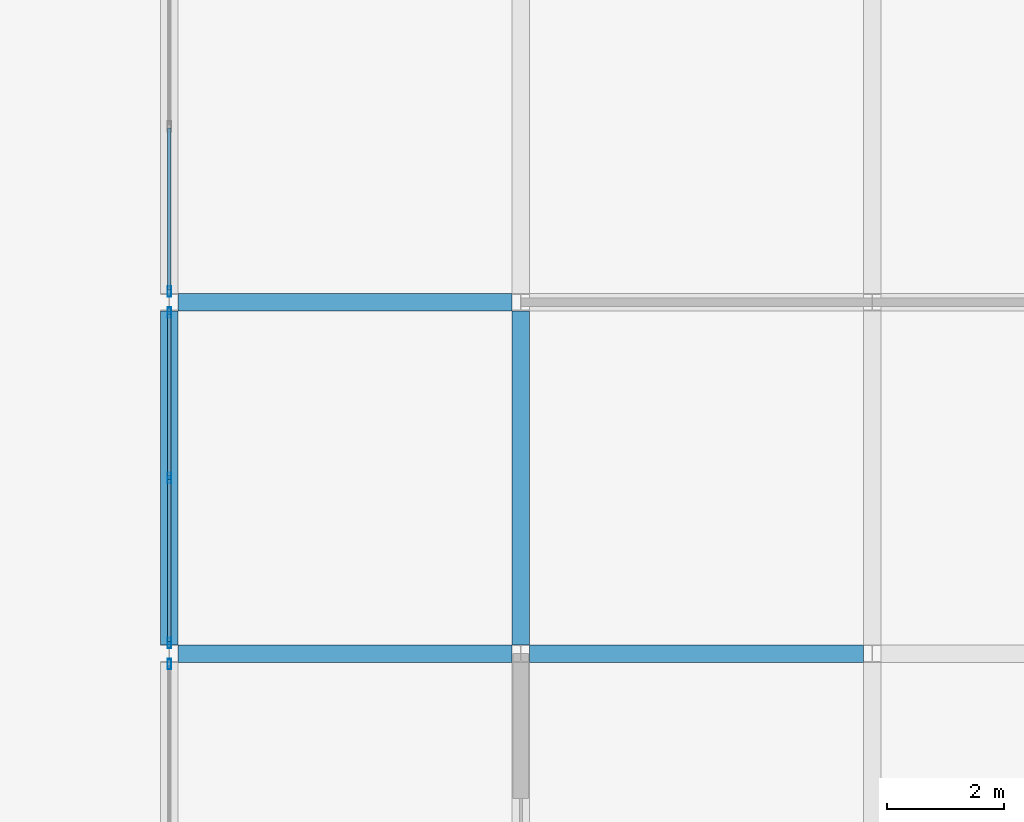
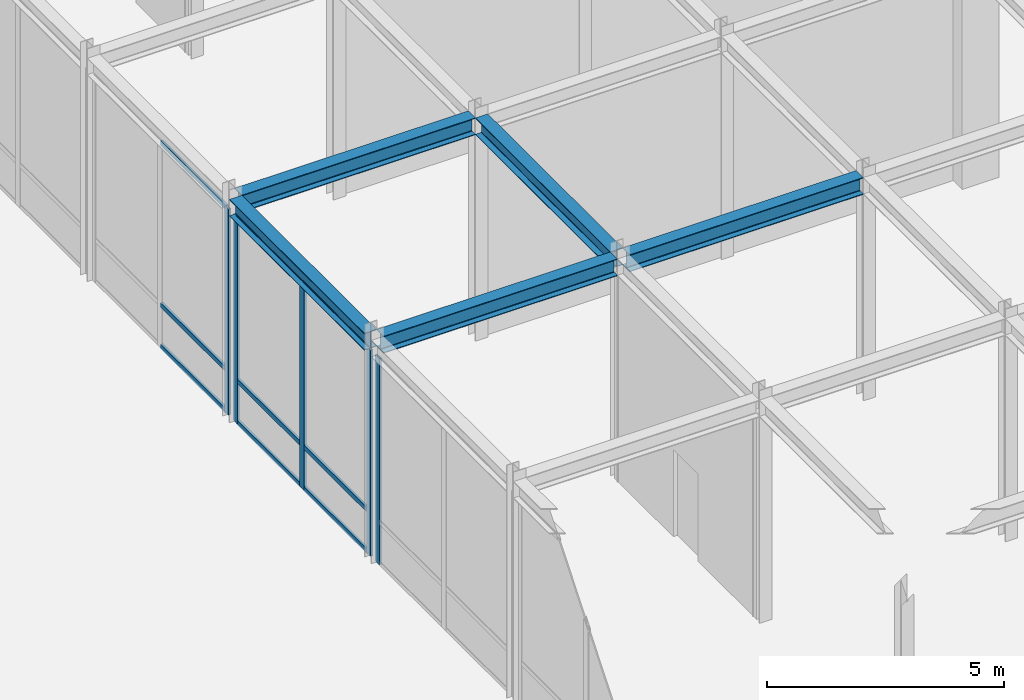
# One storey, part 50 of 108: 14 members, 5 beams, 3 elements without a shape of their own.
"""IFC4 building model written with IfcOpenShell, lengths in metres."""

import ifcopenshell
import ifcopenshell.guid

model = None  # the IFC model being written
_history = None  # IfcOwnerHistory: only IFC2X3 demands one
_inside = {}  # id of a spatial element -> (the spatial element, [elements in it])
_under = {}  # id of a project, library or spatial element -> (it, [spatial elements below it])
_declared = {}  # id of a project -> (the project, [libraries it declares])
_typed = {}  # id of a type object -> (the type object, [elements of that type])
_made_of = {}  # id of a material, layer set ... -> (it, [elements and type objects made of it])


def new_model(schema):
    """Start an empty IFC model of exactly this schema.

    Asked for "IFC4X3", IfcOpenShell would pick the latest addendum, in which some entities
    have other attributes; the version numbers below select the first issue.
    IFC2X3 requires an IfcOwnerHistory on every rooted entity: one is made here for all.
    """
    global model, _history
    if schema == "IFC4X3":
        model = ifcopenshell.file(schema_version=(4, 3, 0, 0))
    else:
        model = ifcopenshell.file(schema=schema)
    _inside.clear()
    _under.clear()
    _declared.clear()
    _typed.clear()
    _made_of.clear()
    _history = None
    if model.schema == "IFC2X3":
        org = make("IfcOrganization", Name="unknown")
        user = make(
            "IfcPersonAndOrganization",
            ThePerson=make("IfcPerson", FamilyName="unknown"),
            TheOrganization=org,
        )
        app = make(
            "IfcApplication",
            ApplicationDeveloper=org,
            Version="unknown",
            ApplicationFullName="unknown",
            ApplicationIdentifier="unknown",
        )
        _history = make(
            "IfcOwnerHistory",
            OwningUser=user,
            OwningApplication=app,
            ChangeAction="ADDED",
            CreationDate=0,
        )
    return model


def make(cls, **values):
    """One entity of the class cls with the attributes given. An attribute that is None is left unset."""
    return model.create_entity(
        cls, **{name: value for name, value in values.items() if value is not None}
    )


def rooted(cls, **values):
    """An entity with a GlobalId (a new one), such as an element, a storey or a relation."""
    return make(cls, GlobalId=ifcopenshell.guid.new(), OwnerHistory=_history, **values)


def si_unit(unit_type, name, prefix=None):
    """IfcSIUnit, for example si_unit("LENGTHUNIT", "METRE", prefix="MILLI")."""
    return make("IfcSIUnit", UnitType=unit_type, Prefix=prefix, Name=name)


def assignment(units):
    """IfcUnitAssignment: the units of a project."""
    return None if units is None else make("IfcUnitAssignment", Units=units)


def point(xyz):
    """IfcCartesianPoint."""
    return None if xyz is None else make("IfcCartesianPoint", Coordinates=xyz)


def direction(xyz):
    """IfcDirection."""
    return None if xyz is None else make("IfcDirection", DirectionRatios=xyz)


def frame(location, z_axis=None, x_axis=None):
    """IfcAxis2Placement3D, a coordinate frame: its origin and axes. An axis left out is left unset."""
    return make(
        "IfcAxis2Placement3D",
        Location=point(location),
        Axis=direction(z_axis),
        RefDirection=direction(x_axis),
    )


def frame_2d(location, x_axis=None):
    """IfcAxis2Placement2D, a coordinate frame in the plane: its origin and x axis."""
    return make(
        "IfcAxis2Placement2D", Location=point(location), RefDirection=direction(x_axis)
    )


def origin():
    """The frame at (0, 0, 0) with its axes left unset."""
    return frame((0.0, 0.0, 0.0))


def origin_2d():
    """The frame at (0, 0) in the plane with its x axis left unset."""
    return frame_2d((0.0, 0.0))


def place(relative_to, where):
    """IfcLocalPlacement: puts the frame where relative to a parent placement (None: the world)."""
    return make(
        "IfcLocalPlacement", PlacementRelTo=relative_to, RelativePlacement=where
    )


def context(
    kind, dimensions, precision=None, world=None, true_north=None, identifier=None
):
    """IfcGeometricRepresentationContext, for example the 3D "Model" context."""
    return make(
        "IfcGeometricRepresentationContext",
        ContextIdentifier=identifier,
        ContextType=kind,
        CoordinateSpaceDimension=dimensions,
        Precision=precision,
        WorldCoordinateSystem=world,
        TrueNorth=true_north,
    )


def subcontext(parent, identifier, kind, view, scale=None):
    """IfcGeometricRepresentationSubContext, for example "Body" below "Model"."""
    return make(
        "IfcGeometricRepresentationSubContext",
        ContextIdentifier=identifier,
        ContextType=kind,
        ParentContext=parent,
        TargetScale=scale,
        TargetView=view,
    )


def project(units=None, contexts=None):
    """IfcProject with its units and contexts."""
    return rooted(
        "IfcProject",
        Name="project",
        RepresentationContexts=contexts,
        UnitsInContext=assignment(units),
    )


def spatial(cls, under=None, at=None, **own):
    """A site, building, storey or space (cls), placed at a placement, below another one or the project."""
    s = rooted(cls, ObjectPlacement=at, **own)
    if under is not None:
        _under.setdefault(under.id(), (under, []))[1].append(s)
    return s


def profile(cls, at=None, kind="AREA", **sizes):
    """A parametric profile (cls). Its sizes go by their IFC names, for example OverallWidth=200.0."""
    return make(cls, ProfileType=kind, Position=at, **sizes)


def hollow_rectangle(**sizes):
    """IfcRectangleHollowProfileDef."""
    return profile("IfcRectangleHollowProfileDef", **sizes)


def i_section(**sizes):
    """IfcIShapeProfileDef."""
    return profile("IfcIShapeProfileDef", **sizes)


def extrude(swept, where, along, depth):
    """IfcExtrudedAreaSolid: the profile swept, set in the frame where, extruded along a direction by depth."""
    return make(
        "IfcExtrudedAreaSolid",
        SweptArea=swept,
        Position=where,
        ExtrudedDirection=direction(along),
        Depth=depth,
    )


def shape(context_of_items, identifier, shape_type, items):
    """IfcShapeRepresentation: the items that make up one representation, for example the "Body"."""
    return make(
        "IfcShapeRepresentation",
        ContextOfItems=context_of_items,
        RepresentationIdentifier=identifier,
        RepresentationType=shape_type,
        Items=items,
    )


def material(Name=None, Category=None):
    """IfcMaterial."""
    return make("IfcMaterial", Name=Name, Category=Category)


def layer(
    of_material, thickness, ventilated=None, Name=None, Category=None, Priority=None
):
    """IfcMaterialLayer: one layer of a wall or slab, of a material (None: an air gap)."""
    return make(
        "IfcMaterialLayer",
        Material=of_material,
        LayerThickness=thickness,
        IsVentilated=ventilated,
        Name=Name,
        Category=Category,
        Priority=Priority,
    )


def layer_set(layers, Name=None):
    """IfcMaterialLayerSet."""
    return make("IfcMaterialLayerSet", MaterialLayers=layers, LayerSetName=Name)


def material_profile(
    of_material, cross_section, Name=None, Category=None, Priority=None
):
    """IfcMaterialProfile: a cross section and its material."""
    return make(
        "IfcMaterialProfile",
        Name=Name,
        Material=of_material,
        Profile=cross_section,
        Priority=Priority,
        Category=Category,
    )


def profile_set(profiles, Name=None, composite=None):
    """IfcMaterialProfileSet."""
    return make(
        "IfcMaterialProfileSet",
        Name=Name,
        MaterialProfiles=profiles,
        CompositeProfile=composite,
    )


def made_of(thing, what):
    """Note that an element or type object is made of a material, layer set ...; save() writes the relation."""
    if what is not None:
        _made_of.setdefault(what.id(), (what, []))[1].append(thing)
    return thing


def type_object(cls, material=None, **own):
    """A type object (cls), such as IfcWallType, which elements share."""
    return made_of(rooted(cls, **own), material)


def element(
    cls,
    number,
    at=None,
    inside=None,
    cuts=None,
    type_object=None,
    material=None,
    context=None,
    identifier="Body",
    shape_type=None,
    held_by="IfcProductDefinitionShape",
    body=None,
    shapes=None,
    **own,
):
    """One element of the class cls, such as IfcWall. Its Tag is "e" and its number.

    at: its placement. inside: the storey or other place that contains it. cuts: it is an
    opening in that element (IfcRelVoidsElement). A single representation is given by context,
    identifier, shape_type and body (its items); several are given by shapes. held_by: the class
    of the entity that holds the representations. save() writes the other relations.
    """
    e = rooted(cls, Tag="e%d" % number, ObjectPlacement=at, **own)
    if body is not None:
        shapes = [shape(context, identifier, shape_type, body)]
    if shapes is not None:
        e.Representation = make(held_by, Representations=shapes)
    if inside is not None:
        _inside.setdefault(inside.id(), (inside, []))[1].append(e)
    if cuts is not None:
        rooted(
            "IfcRelVoidsElement", RelatingBuildingElement=cuts, RelatedOpeningElement=e
        )
    if type_object is not None:
        _typed.setdefault(type_object.id(), (type_object, []))[1].append(e)
    return made_of(e, material)


def aggregate(whole, parts):
    """IfcRelAggregates: a whole, such as a stair, and the parts it consists of."""
    return rooted("IfcRelAggregates", RelatingObject=whole, RelatedObjects=parts)


def save(model, path):
    """Write the relations noted so far, then the file.

    IfcRelAggregates (storeys below a building ...), IfcRelContainedInSpatialStructure (elements
    in a storey), IfcRelDefinesByType, IfcRelAssociatesMaterial and IfcRelDeclares: one each for
    every whole, place, type object, material and project.
    """
    for whole, parts in _under.values():
        aggregate(whole, parts)
    for where, things in _inside.values():
        rooted(
            "IfcRelContainedInSpatialStructure",
            RelatedElements=things,
            RelatingStructure=where,
        )
    for kind, things in _typed.values():
        rooted("IfcRelDefinesByType", RelatedObjects=things, RelatingType=kind)
    for what, things in _made_of.values():
        rooted("IfcRelAssociatesMaterial", RelatedObjects=things, RelatingMaterial=what)
    for by, libraries in _declared.values():
        rooted("IfcRelDeclares", RelatingContext=by, RelatedDefinitions=libraries)
    model.write(path)


model = new_model("IFC4")

# Units and contexts
model_context = context("Model", 3, precision=1e-05, world=origin(), true_north=direction((0.0, 1.0)))
body_context = subcontext(model_context, "Body", "Model", "MODEL_VIEW")
ifc_project = project(units=[si_unit("LENGTHUNIT", "METRE"), si_unit("AREAUNIT", "SQUARE_METRE"), si_unit("VOLUMEUNIT", "CUBIC_METRE"), si_unit("PLANEANGLEUNIT", "RADIAN"), si_unit("MASSUNIT", "GRAM", prefix="KILO")], contexts=[model_context])

# Site, building, storey
site_placement = place(None, origin())
site = spatial("IfcSite", under=ifc_project, at=site_placement, CompositionType="ELEMENT")
building_placement = place(site_placement, origin())
building = spatial("IfcBuilding", under=site, at=building_placement, Name="Zlatovratsky Civic Hall", CompositionType="ELEMENT")
storey_placement = place(building_placement, frame((0.0, 0.0, 6.0)))
storey = spatial("IfcBuildingStorey", under=building, at=storey_placement, Name="L02", CompositionType="ELEMENT", Elevation=6.0)

# Beams
ifc_material_1 = material(Name="Steel S355", Category="steel")
ifc_material_profile_1 = material_profile(ifc_material_1, i_section(OverallWidth=0.300048828125, OverallDepth=0.43994140625, WebThickness=0.010986328125, FlangeThickness=0.01806640625, FilletRadius=0.02197265625, at=origin_2d()), Name="45Sh1")
ifc_profile_set_1 = profile_set([ifc_material_profile_1], Name="Steel S355")
beam_type = type_object("IfcBeamType", Name="Beam_TowerLow_45Sh1", PredefinedType="BEAM", material=ifc_profile_set_1)
for number, where, z_axis, x_axis, name in (
    (1, (48.14990234375, 48.0, 5.5400390625), (1.0, 0.0, 0.0), (0.0, 1.0, 0.0), "BM-1835"),
    (2, (54.14990234375, 48.0, 5.5400390625), (1.0, 0.0, 0.0), (0.0, 1.0, 0.0), "BM-1836"),
    (3, (48.14990234375, 54.0, 5.5400390625), (1.0, 0.0, 0.0), (0.0, 1.0, 0.0), "BM-1851"),
    (4, (48.0, 48.14990234375, 5.5400390625), (0.0, 1.0, 0.0), (-1.0, 0.0, 0.0), "BM-2136"),
    (5, (54.0, 48.14990234375, 5.5400390625), (0.0, 1.0, 0.0), (-1.0, 0.0, 0.0), "BM-2153"),
):
    element("IfcBeam", number, at=place(storey_placement, frame(where, z_axis=z_axis, x_axis=x_axis)), inside=storey, type_object=beam_type, Name=name, PredefinedType="BEAM", context=body_context, shape_type="SweptSolid", body=[
        extrude(i_section(OverallWidth=0.300048828125, OverallDepth=0.43994140625, WebThickness=0.010986328125, FlangeThickness=0.01806640625, FilletRadius=0.02197265625, at=origin_2d()), origin(), (0.0, 0.0, 1.0), 5.7001953125),
    ])

# Curtain wall, member
ifc_material_2 = material(Name="Anodised bronze aluminium", Category="aluminium")
ifc_layer = layer(ifc_material_2, 0.159912109375)
ifc_layer_set = layer_set([ifc_layer], Name="Anodised bronze aluminium")
curtain_wall_type = type_object("IfcCurtainWallType", Name="CurtainWall_Bronze_5700x5310_06", PredefinedType="NOTDEFINED", material=ifc_layer_set)
curtain_wall_1_placement = place(storey_placement, origin())
curtain_wall_1 = element("IfcCurtainWall", 6, at=curtain_wall_1_placement, inside=storey, type_object=curtain_wall_type, Name="CW-023", PredefinedType="NOTDEFINED")
ifc_material_profile_2 = material_profile(ifc_material_2, hollow_rectangle(XDim=0.06005859375, YDim=0.179931640625, WallThickness=0.00390625, at=origin_2d()), Name="ALU 60x180x4")
ifc_profile_set_2 = profile_set([ifc_material_profile_2], Name="Anodised bronze aluminium")
member_type_1 = type_object("IfcMemberType", Name="CW_Mullion_60x180", PredefinedType="MULLION", material=ifc_profile_set_2)
member_1_placement = place(storey_placement, frame((48.0, 47.820068359375, 0.0), z_axis=(0.0, 0.0, 1.0), x_axis=(-1.0, 0.0, 0.0)))
member_1 = element("IfcMember", 7, at=member_1_placement, type_object=member_type_1, Name="CW-06 mullion 3", PredefinedType="MULLION", context=body_context, shape_type="SweptSolid", body=[
    extrude(hollow_rectangle(XDim=0.06005859375, YDim=0.179931640625, WallThickness=0.00390625, at=origin_2d()), origin(), (0.0, 0.0, 1.0), 5.31005859375),
])
aggregate(curtain_wall_1, [member_1])

# Curtain wall, members
curtain_wall_2_placement = place(storey_placement, origin())
curtain_wall_2 = element("IfcCurtainWall", 8, at=curtain_wall_2_placement, inside=storey, type_object=curtain_wall_type, Name="CW-024", PredefinedType="NOTDEFINED")
member_2_placement = place(storey_placement, frame((48.0, 48.179931640625, 0.0), z_axis=(0.0, 0.0, 1.0), x_axis=(-1.0, 0.0, 0.0)))
member_2 = element("IfcMember", 9, at=member_2_placement, type_object=member_type_1, Name="CW-06 mullion 1", PredefinedType="MULLION", context=body_context, shape_type="SweptSolid", body=[
    extrude(hollow_rectangle(XDim=0.06005859375, YDim=0.179931640625, WallThickness=0.00390625, at=origin_2d()), origin(), (0.0, 0.0, 1.0), 5.31005859375),
])
member_3_placement = place(storey_placement, frame((48.0, 51.0, 0.0), z_axis=(0.0, 0.0, 1.0), x_axis=(-1.0, 0.0, 0.0)))
member_3 = element("IfcMember", 10, at=member_3_placement, type_object=member_type_1, Name="CW-06 mullion 2", PredefinedType="MULLION", context=body_context, shape_type="SweptSolid", body=[
    extrude(hollow_rectangle(XDim=0.06005859375, YDim=0.179931640625, WallThickness=0.00390625, at=origin_2d()), origin(), (0.0, 0.0, 1.0), 5.31005859375),
])
member_4_placement = place(storey_placement, frame((48.0, 53.820068359375, 0.0), z_axis=(0.0, 0.0, 1.0), x_axis=(-1.0, 0.0, 0.0)))
member_4 = element("IfcMember", 11, at=member_4_placement, type_object=member_type_1, Name="CW-06 mullion 3", PredefinedType="MULLION", context=body_context, shape_type="SweptSolid", body=[
    extrude(hollow_rectangle(XDim=0.06005859375, YDim=0.179931640625, WallThickness=0.00390625, at=origin_2d()), origin(), (0.0, 0.0, 1.0), 5.31005859375),
])

# Curtain wall, member
curtain_wall_3_placement = place(storey_placement, origin())
curtain_wall_3 = element("IfcCurtainWall", 12, at=curtain_wall_3_placement, inside=storey, type_object=curtain_wall_type, Name="CW-025", PredefinedType="NOTDEFINED")
member_5_placement = place(storey_placement, frame((48.0, 54.179931640625, 0.0), z_axis=(0.0, 0.0, 1.0), x_axis=(-1.0, 0.0, 0.0)))
member_5 = element("IfcMember", 13, at=member_5_placement, type_object=member_type_1, Name="CW-06 mullion 1", PredefinedType="MULLION", context=body_context, shape_type="SweptSolid", body=[
    extrude(hollow_rectangle(XDim=0.06005859375, YDim=0.179931640625, WallThickness=0.00390625, at=origin_2d()), origin(), (0.0, 0.0, 1.0), 5.31005859375),
])

# Member
ifc_material_profile_3 = material_profile(ifc_material_2, hollow_rectangle(XDim=0.06005859375, YDim=0.1201171875, WallThickness=0.00390625, at=origin_2d()), Name="ALU 60x120x4")
ifc_profile_set_3 = profile_set([ifc_material_profile_3], Name="Anodised bronze aluminium")
member_type_2 = type_object("IfcMemberType", Name="CW_Transom_60x120", PredefinedType="USERDEFINED", material=ifc_profile_set_3)
member_6_placement = place(storey_placement, frame((48.0, 48.2099609375, 0.030029296875), z_axis=(0.0, 1.0, 0.0), x_axis=(-1.0, 0.0, 0.0)))
member_6 = element("IfcMember", 14, at=member_6_placement, type_object=member_type_2, Name="CW-06 transom 1.1", ObjectType="TRANSOM", PredefinedType="USERDEFINED", context=body_context, shape_type="SweptSolid", body=[
    extrude(hollow_rectangle(XDim=0.06005859375, YDim=0.1201171875, WallThickness=0.00390625, at=origin_2d()), origin(), (0.0, 0.0, 1.0), 2.760009765625),
])

member_7_placement = place(storey_placement, frame((48.0, 48.2099609375, 1.10009765625), z_axis=(0.0, 1.0, 0.0), x_axis=(-1.0, 0.0, 0.0)))
member_7 = element("IfcMember", 15, at=member_7_placement, type_object=member_type_2, Name="CW-06 transom 1.2", ObjectType="TRANSOM", PredefinedType="USERDEFINED", context=body_context, shape_type="SweptSolid", body=[
    extrude(hollow_rectangle(XDim=0.06005859375, YDim=0.1201171875, WallThickness=0.00390625, at=origin_2d()), origin(), (0.0, 0.0, 1.0), 2.760009765625),
])

member_8_placement = place(storey_placement, frame((48.0, 48.2099609375, 5.280029296875), z_axis=(0.0, 1.0, 0.0), x_axis=(-1.0, 0.0, 0.0)))
member_8 = element("IfcMember", 16, at=member_8_placement, type_object=member_type_2, Name="CW-06 transom 1.3", ObjectType="TRANSOM", PredefinedType="USERDEFINED", context=body_context, shape_type="SweptSolid", body=[
    extrude(hollow_rectangle(XDim=0.06005859375, YDim=0.1201171875, WallThickness=0.00390625, at=origin_2d()), origin(), (0.0, 0.0, 1.0), 2.760009765625),
])

member_9_placement = place(storey_placement, frame((48.0, 51.030029296875, 0.030029296875), z_axis=(0.0, 1.0, 0.0), x_axis=(-1.0, 0.0, 0.0)))
member_9 = element("IfcMember", 17, at=member_9_placement, type_object=member_type_2, Name="CW-06 transom 2.1", ObjectType="TRANSOM", PredefinedType="USERDEFINED", context=body_context, shape_type="SweptSolid", body=[
    extrude(hollow_rectangle(XDim=0.06005859375, YDim=0.1201171875, WallThickness=0.00390625, at=origin_2d()), origin(), (0.0, 0.0, 1.0), 2.760009765625),
])

member_10_placement = place(storey_placement, frame((48.0, 51.030029296875, 1.10009765625), z_axis=(0.0, 1.0, 0.0), x_axis=(-1.0, 0.0, 0.0)))
member_10 = element("IfcMember", 18, at=member_10_placement, type_object=member_type_2, Name="CW-06 transom 2.2", ObjectType="TRANSOM", PredefinedType="USERDEFINED", context=body_context, shape_type="SweptSolid", body=[
    extrude(hollow_rectangle(XDim=0.06005859375, YDim=0.1201171875, WallThickness=0.00390625, at=origin_2d()), origin(), (0.0, 0.0, 1.0), 2.760009765625),
])

member_11_placement = place(storey_placement, frame((48.0, 51.030029296875, 5.280029296875), z_axis=(0.0, 1.0, 0.0), x_axis=(-1.0, 0.0, 0.0)))
member_11 = element("IfcMember", 19, at=member_11_placement, type_object=member_type_2, Name="CW-06 transom 2.3", ObjectType="TRANSOM", PredefinedType="USERDEFINED", context=body_context, shape_type="SweptSolid", body=[
    extrude(hollow_rectangle(XDim=0.06005859375, YDim=0.1201171875, WallThickness=0.00390625, at=origin_2d()), origin(), (0.0, 0.0, 1.0), 2.760009765625),
])

aggregate(curtain_wall_2, [member_2, member_3, member_4, member_6, member_7, member_8, member_9, member_10, member_11])

member_12_placement = place(storey_placement, frame((48.0, 54.2099609375, 0.030029296875), z_axis=(0.0, 1.0, 0.0), x_axis=(-1.0, 0.0, 0.0)))
member_12 = element("IfcMember", 20, at=member_12_placement, type_object=member_type_2, Name="CW-06 transom 1.1", ObjectType="TRANSOM", PredefinedType="USERDEFINED", context=body_context, shape_type="SweptSolid", body=[
    extrude(hollow_rectangle(XDim=0.06005859375, YDim=0.1201171875, WallThickness=0.00390625, at=origin_2d()), origin(), (0.0, 0.0, 1.0), 2.760009765625),
])

member_13_placement = place(storey_placement, frame((48.0, 54.2099609375, 1.10009765625), z_axis=(0.0, 1.0, 0.0), x_axis=(-1.0, 0.0, 0.0)))
member_13 = element("IfcMember", 21, at=member_13_placement, type_object=member_type_2, Name="CW-06 transom 1.2", ObjectType="TRANSOM", PredefinedType="USERDEFINED", context=body_context, shape_type="SweptSolid", body=[
    extrude(hollow_rectangle(XDim=0.06005859375, YDim=0.1201171875, WallThickness=0.00390625, at=origin_2d()), origin(), (0.0, 0.0, 1.0), 2.760009765625),
])

member_14_placement = place(storey_placement, frame((48.0, 54.2099609375, 5.280029296875), z_axis=(0.0, 1.0, 0.0), x_axis=(-1.0, 0.0, 0.0)))
member_14 = element("IfcMember", 22, at=member_14_placement, type_object=member_type_2, Name="CW-06 transom 1.3", ObjectType="TRANSOM", PredefinedType="USERDEFINED", context=body_context, shape_type="SweptSolid", body=[
    extrude(hollow_rectangle(XDim=0.06005859375, YDim=0.1201171875, WallThickness=0.00390625, at=origin_2d()), origin(), (0.0, 0.0, 1.0), 2.760009765625),
])

aggregate(curtain_wall_3, [member_5, member_12, member_13, member_14])

save(model, "model.ifc")
